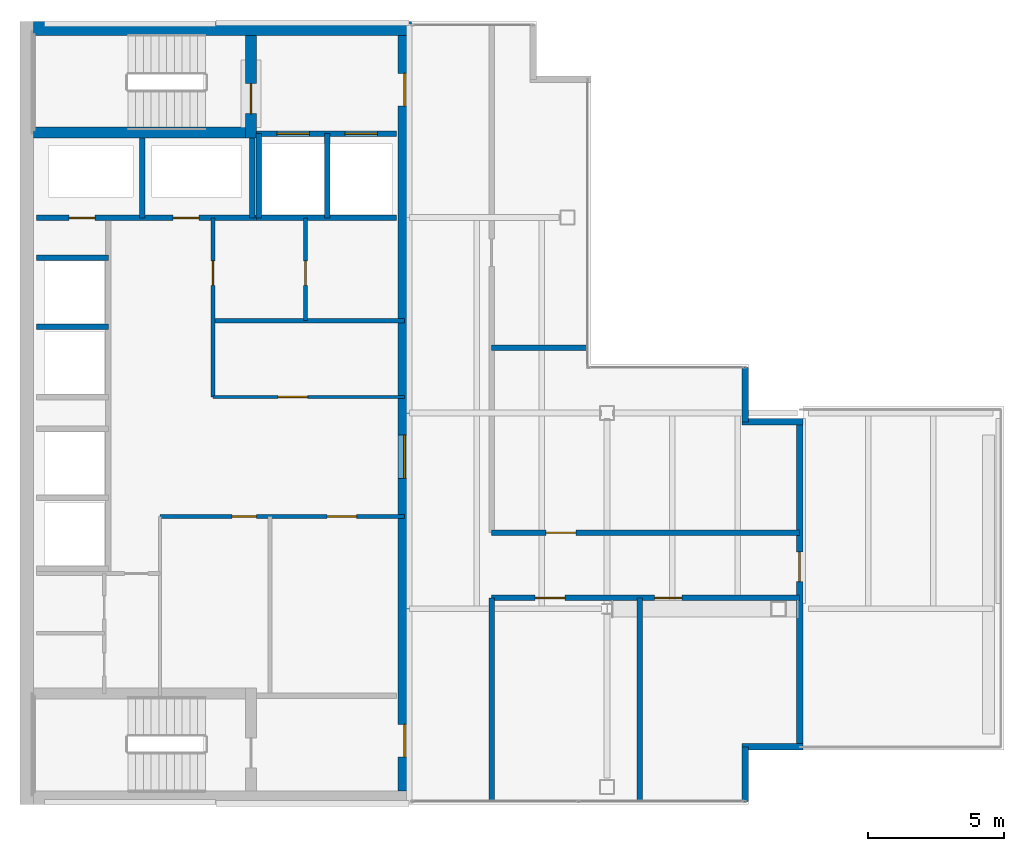
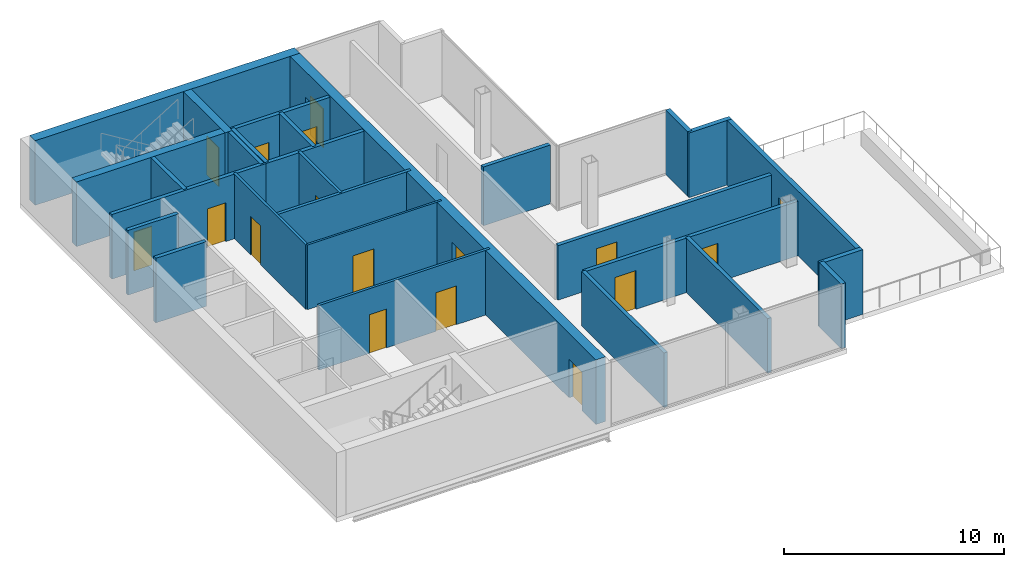
# One storey, part 14 of 16: 28 walls, 17 doors, 17 openings.
"""IFC4 building model written with IfcOpenShell, lengths in metres."""

from ifc_helpers import new_model, si_unit, direction, frame, frame_2d, origin, place, context, subcontext, project, spatial, rectangle, extrude, material, layer, layer_set, type_object, element, fill, save


model = new_model("IFC4")

# Units and contexts
model_context = context("Model", 3, precision=1e-05, world=origin(), true_north=direction((0.0, 1.0)))
body_context = subcontext(model_context, "Body", "Model", "MODEL_VIEW")
ifc_project = project(units=[si_unit("LENGTHUNIT", "METRE"), si_unit("AREAUNIT", "SQUARE_METRE"), si_unit("VOLUMEUNIT", "CUBIC_METRE"), si_unit("PLANEANGLEUNIT", "RADIAN"), si_unit("MASSUNIT", "GRAM", prefix="KILO")], contexts=[model_context])

# Site, building, storey
site_placement = place(None, origin())
site = spatial("IfcSite", under=ifc_project, at=site_placement, CompositionType="ELEMENT")
building_placement = place(site_placement, origin())
building = spatial("IfcBuilding", under=site, at=building_placement, Name="Cobrela Telecom Tower", CompositionType="ELEMENT")
storey_placement = place(building_placement, frame((0.0, 0.0, 293.64990234375)))
storey = spatial("IfcBuildingStorey", under=building, at=storey_placement, Name="L77", CompositionType="ELEMENT", Elevation=293.64990234375)

# Wall
ifc_material_1 = material(Name="Concrete C40/50", Category="concrete")
ifc_layer_1 = layer(ifc_material_1, 0.5)
ifc_layer_set_1 = layer_set([ifc_layer_1], Name="Concrete C40/50")
wall_type_1 = type_object("IfcWallType", Name="WALL-CORE-C40-500", PredefinedType="SHEAR", material=ifc_layer_set_1)
wall_1_placement = place(storey_placement, frame((0.5, 35.75, 0.0), z_axis=(0.0, 0.0, 1.0), x_axis=(1.0, 0.0, 0.0)))
element("IfcWall", 1, at=wall_1_placement, inside=storey, type_object=wall_type_1, Name="L77 North Core Shear Wall", PredefinedType="SHEAR", context=body_context, shape_type="SweptSolid", body=[
    extrude(rectangle(XDim=13.89990234375, YDim=0.5, at=frame_2d((6.949951171875, 0.0))), origin(), (0.0, 0.0, 1.0), 3.590087890625),
])

# Wall, openings, doors
wall_2_placement = place(storey_placement, frame((14.14990234375, 35.5, 0.0), z_axis=(0.0, 0.0, 1.0), x_axis=(0.0, -1.0, 0.0)))
wall_2 = element("IfcWall", 2, at=wall_2_placement, inside=storey, type_object=wall_type_1, Name="L77 East Core Shear Wall", PredefinedType="SHEAR", context=body_context, shape_type="SweptSolid", body=[
    extrude(rectangle(XDim=27.800048828125, YDim=0.5, at=frame_2d((13.89990234375, 0.0))), origin(), (0.0, 0.0, 1.0), 3.590087890625),
])
opening_1_placement = place(wall_2_placement, frame((1.39990234375, 0.0, 0.0)))
opening_1 = element("IfcOpeningElement", 3, at=opening_1_placement, cuts=wall_2, Name="Opening DR-19", PredefinedType="OPENING", context=body_context, shape_type="SweptSolid", body=[
    extrude(rectangle(XDim=1.199951171875, YDim=2.14990234375, at=frame_2d((0.60009765625, 1.074951171875))), frame((0.0, 0.261962890625, 0.0), z_axis=(0.0, -1.0, 0.0), x_axis=(1.0, 0.0, 0.0)), (0.0, 0.0, 1.0), 0.52392578125),
])
opening_2_placement = place(wall_2_placement, frame((25.35009765625, 0.0, 0.0)))
opening_2 = element("IfcOpeningElement", 4, at=opening_2_placement, cuts=wall_2, Name="Opening DR-19", PredefinedType="OPENING", context=body_context, shape_type="SweptSolid", body=[
    extrude(rectangle(XDim=1.199951171875, YDim=2.14990234375, at=frame_2d((0.60009765625, 1.074951171875))), frame((0.0, 0.261962890625, 0.0), z_axis=(0.0, -1.0, 0.0), x_axis=(1.0, 0.0, 0.0)), (0.0, 0.0, 1.0), 0.52392578125),
])
opening_3_placement = place(wall_2_placement, frame((14.699951171875, 0.0, 0.0)))
opening_3 = element("IfcOpeningElement", 5, at=opening_3_placement, cuts=wall_2, Name="Opening DR-51", PredefinedType="OPENING", context=body_context, shape_type="SweptSolid", body=[
    extrude(rectangle(XDim=1.60009765625, YDim=2.199951171875, at=frame_2d((0.800048828125, 1.10009765625))), frame((0.0, 0.261962890625, 0.0), z_axis=(0.0, -1.0, 0.0), x_axis=(1.0, 0.0, 0.0)), (0.0, 0.0, 1.0), 0.52392578125),
])
ifc_material_2 = material(Name="Steel ASTM A36", Category="steel")
door_type_1 = type_object("IfcDoorType", Name="DOOR-FD60-1200", OperationType="SINGLE_SWING_LEFT", PredefinedType="DOOR", material=ifc_material_2)
door_1_placement = place(opening_1_placement, origin())
door_1 = element("IfcDoor", 6, at=door_1_placement, inside=storey, type_object=door_type_1, Name="L77 Door DR-19", OperationType="SINGLE_SWING_LEFT", OverallHeight=2.14990234375, OverallWidth=1.199951171875, PredefinedType="DOOR", context=body_context, shape_type="SweptSolid", body=[
    extrude(rectangle(XDim=1.199951171875, YDim=2.14990234375, at=frame_2d((0.60009765625, 1.074951171875))), frame((0.0, 0.02490234375, 0.0), z_axis=(0.0, -1.0, 0.0), x_axis=(1.0, 0.0, 0.0)), (0.0, 0.0, 1.0), 0.050048828125),
])
fill(opening_1, door_1)
door_2_placement = place(opening_2_placement, origin())
door_2 = element("IfcDoor", 7, at=door_2_placement, inside=storey, type_object=door_type_1, Name="L77 Door DR-19", OperationType="SINGLE_SWING_RIGHT", OverallHeight=2.14990234375, OverallWidth=1.199951171875, PredefinedType="DOOR", context=body_context, shape_type="SweptSolid", body=[
    extrude(rectangle(XDim=1.199951171875, YDim=2.14990234375, at=frame_2d((0.60009765625, 1.074951171875))), frame((0.0, 0.02490234375, 0.0), z_axis=(0.0, -1.0, 0.0), x_axis=(1.0, 0.0, 0.0)), (0.0, 0.0, 1.0), 0.050048828125),
])
fill(opening_2, door_2)
door_type_2 = type_object("IfcDoorType", Name="DOOR-FD60-1600", OperationType="SINGLE_SWING_LEFT", PredefinedType="DOOR", material=ifc_material_2)
door_3_placement = place(opening_3_placement, origin())
door_3 = element("IfcDoor", 8, at=door_3_placement, inside=storey, type_object=door_type_2, Name="L77 Door DR-51", OperationType="DOUBLE_DOOR_SINGLE_SWING", OverallHeight=2.199951171875, OverallWidth=1.60009765625, PredefinedType="DOOR", context=body_context, shape_type="SweptSolid", body=[
    extrude(rectangle(XDim=1.60009765625, YDim=2.199951171875, at=frame_2d((0.800048828125, 1.10009765625))), frame((0.0, 0.02490234375, 0.0), z_axis=(0.0, -1.0, 0.0), x_axis=(1.0, 0.0, 0.0)), (0.0, 0.0, 1.0), 0.050048828125),
])
fill(opening_3, door_3)

# Walls
ifc_layer_2 = layer(ifc_material_1, 0.239990234375)
ifc_layer_set_2 = layer_set([ifc_layer_2], Name="Concrete C40/50")
wall_type_2 = type_object("IfcWallType", Name="WALL-EXT-300", PredefinedType="STANDARD", material=ifc_layer_set_2)
wall_3_placement = place(storey_placement, frame((26.679931640625, 23.280029296875, 0.0), z_axis=(0.0, 0.0, 1.0), x_axis=(0.0, -1.0, 0.0)))
element("IfcWall", 9, at=wall_3_placement, inside=storey, type_object=wall_type_2, Name="L77 Insulated Facade Wall 06", PredefinedType="STANDARD", context=body_context, shape_type="SweptSolid", body=[
    extrude(rectangle(XDim=2.0, YDim=0.239990234375, at=frame_2d((1.0, 0.0))), origin(), (0.0, 0.0, 1.0), 3.590087890625),
])
wall_4_placement = place(storey_placement, frame((26.56005859375, 21.280029296875, 0.0), z_axis=(0.0, 0.0, 1.0), x_axis=(1.0, 0.0, 0.0)))
element("IfcWall", 10, at=wall_4_placement, inside=storey, type_object=wall_type_2, Name="L77 Insulated Facade Wall 07", PredefinedType="STANDARD", context=body_context, shape_type="SweptSolid", body=[
    extrude(rectangle(XDim=2.239990234375, YDim=0.239990234375, at=frame_2d((1.1201171875, 0.0))), origin(), (0.0, 0.0, 1.0), 3.590087890625),
])

# Wall, opening, door
wall_5_placement = place(storey_placement, frame((28.679931640625, 21.280029296875, 0.0), z_axis=(0.0, 0.0, 1.0), x_axis=(0.0, -1.0, 0.0)))
wall_5 = element("IfcWall", 11, at=wall_5_placement, inside=storey, type_object=wall_type_2, Name="L77 Insulated Facade Wall 08", PredefinedType="STANDARD", context=body_context, shape_type="SweptSolid", body=[
    extrude(rectangle(XDim=11.9599609375, YDim=0.239990234375, at=frame_2d((5.97998046875, 0.0))), origin(), (0.0, 0.0, 1.0), 3.590087890625),
])
opening_4_placement = place(wall_5_placement, frame((4.780029296875, 0.0, 0.0)))
opening_4 = element("IfcOpeningElement", 12, at=opening_4_placement, cuts=wall_5, Name="Opening ED-3", PredefinedType="OPENING", context=body_context, shape_type="SweptSolid", body=[
    extrude(rectangle(XDim=1.10009765625, YDim=2.14990234375, at=frame_2d((0.550048828125, 1.074951171875))), frame((0.0, 0.1318359375, 0.0), z_axis=(0.0, -1.0, 0.0), x_axis=(1.0, 0.0, 0.0)), (0.0, 0.0, 1.0), 0.263916015625),
])
ifc_material_3 = material(Name="Anodized Bronze Aluminium 6063-T6", Category="aluminium")
door_type_3 = type_object("IfcDoorType", Name="DOOR-EXT-1100", OperationType="SINGLE_SWING_LEFT", PredefinedType="DOOR", material=ifc_material_3)
door_4_placement = place(opening_4_placement, origin())
door_4 = element("IfcDoor", 13, at=door_4_placement, inside=storey, type_object=door_type_3, Name="L77 Door ED-3", OperationType="SINGLE_SWING_LEFT", OverallHeight=2.14990234375, OverallWidth=1.10009765625, PredefinedType="DOOR", context=body_context, shape_type="SweptSolid", body=[
    extrude(rectangle(XDim=1.10009765625, YDim=2.14990234375, at=frame_2d((0.550048828125, 1.074951171875))), frame((0.0, 0.02490234375, 0.0), z_axis=(0.0, -1.0, 0.0), x_axis=(1.0, 0.0, 0.0)), (0.0, 0.0, 1.0), 0.050048828125),
])
fill(opening_4, door_4)

# Walls
wall_6_placement = place(storey_placement, frame((28.800048828125, 9.320068359375, 0.0), z_axis=(0.0, 0.0, 1.0), x_axis=(-1.0, 0.0, 0.0)))
element("IfcWall", 14, at=wall_6_placement, inside=storey, type_object=wall_type_2, Name="L77 Insulated Facade Wall 09", PredefinedType="STANDARD", context=body_context, shape_type="SweptSolid", body=[
    extrude(rectangle(XDim=2.239990234375, YDim=0.239990234375, at=frame_2d((1.1201171875, 0.0))), origin(), (0.0, 0.0, 1.0), 3.590087890625),
])
wall_7_placement = place(storey_placement, frame((26.679931640625, 9.320068359375, 0.0), z_axis=(0.0, 0.0, 1.0), x_axis=(0.0, -1.0, 0.0)))
element("IfcWall", 15, at=wall_7_placement, inside=storey, type_object=wall_type_2, Name="L77 Insulated Facade Wall 10", PredefinedType="STANDARD", context=body_context, shape_type="SweptSolid", body=[
    extrude(rectangle(XDim=2.0, YDim=0.239990234375, at=frame_2d((1.0, 0.0))), origin(), (0.0, 0.0, 1.0), 3.590087890625),
])

# Wall, opening, door
ifc_material_4 = material(Name="Fire-Rated Gypsum Plasterboard")
ifc_layer_3 = layer(ifc_material_4, 0.110107421875)
ifc_layer_set_3 = layer_set([ifc_layer_3], Name="Fire-Rated Gypsum Plasterboard")
wall_type_3 = type_object("IfcWallType", Name="WALL-PART-110", PredefinedType="PARTITIONING", material=ifc_layer_set_3)
wall_8_placement = place(storey_placement, frame((7.10009765625, 22.199951171875, 0.0), z_axis=(0.0, 0.0, 1.0), x_axis=(1.0, 0.0, 0.0)))
wall_8 = element("IfcWall", 16, at=wall_8_placement, inside=storey, type_object=wall_type_3, Name="L77 Interior Partition CW-RECL-S", PredefinedType="PARTITIONING", context=body_context, shape_type="SweptSolid", body=[
    extrude(rectangle(XDim=7.0498046875, YDim=0.110107421875, at=frame_2d((3.52490234375, 0.0))), origin(), (0.0, 0.0, 1.0), 3.590087890625),
])
opening_5_placement = place(wall_8_placement, frame((2.39990234375, 0.0, 0.0)))
opening_5 = element("IfcOpeningElement", 17, at=opening_5_placement, cuts=wall_8, Name="Opening DR-63", PredefinedType="OPENING", context=body_context, shape_type="SweptSolid", body=[
    extrude(rectangle(XDim=1.080078125, YDim=2.14990234375, at=frame_2d((0.5400390625, 1.074951171875))), frame((0.0, 0.06689453125, 0.0), z_axis=(0.0, -1.0, 0.0), x_axis=(1.0, 0.0, 0.0)), (0.0, 0.0, 1.0), 0.134033203125),
])
ifc_material_5 = material(Name="Solid Engineered Oak Timber", Category="wood")
door_type_4 = type_object("IfcDoorType", Name="DOOR-INT-1080", OperationType="SINGLE_SWING_LEFT", PredefinedType="DOOR", material=ifc_material_5)
door_5_placement = place(opening_5_placement, origin())
door_5 = element("IfcDoor", 18, at=door_5_placement, inside=storey, type_object=door_type_4, Name="L77 Door DR-63", OperationType="SINGLE_SWING_LEFT", OverallHeight=2.14990234375, OverallWidth=1.080078125, PredefinedType="DOOR", context=body_context, shape_type="SweptSolid", body=[
    extrude(rectangle(XDim=1.080078125, YDim=2.14990234375, at=frame_2d((0.5400390625, 1.074951171875))), frame((0.0, 0.02490234375, 0.0), z_axis=(0.0, -1.0, 0.0), x_axis=(1.0, 0.0, 0.0)), (0.0, 0.0, 1.0), 0.050048828125),
])
fill(opening_5, door_5)

ifc_layer_4 = layer(ifc_material_4, 0.135009765625)
ifc_layer_set_4 = layer_set([ifc_layer_4], Name="Fire-Rated Gypsum Plasterboard")
wall_type_4 = type_object("IfcWallType", Name="WALL-PART-135", PredefinedType="PARTITIONING", material=ifc_layer_set_4)
wall_9_placement = place(storey_placement, frame((7.10009765625, 22.199951171875, 0.0), z_axis=(0.0, 0.0, 1.0), x_axis=(0.0, 1.0, 0.0)))
wall_9 = element("IfcWall", 19, at=wall_9_placement, inside=storey, type_object=wall_type_4, Name="L77 Interior Partition CW-RECL-W", PredefinedType="PARTITIONING", context=body_context, shape_type="SweptSolid", body=[
    extrude(rectangle(XDim=6.580078125, YDim=0.135009765625, at=frame_2d((3.2900390625, 0.0))), origin(), (0.0, 0.0, 1.0), 3.590087890625),
])
opening_6_placement = place(wall_9_placement, frame((4.10009765625, 0.0, 0.0)))
opening_6 = element("IfcOpeningElement", 20, at=opening_6_placement, cuts=wall_9, Name="Opening DR-41", PredefinedType="OPENING", context=body_context, shape_type="SweptSolid", body=[
    extrude(rectangle(XDim=0.89990234375, YDim=2.14990234375, at=frame_2d((0.449951171875, 1.074951171875))), frame((0.0, 0.07958984375, 0.0), z_axis=(0.0, -1.0, 0.0), x_axis=(1.0, 0.0, 0.0)), (0.0, 0.0, 1.0), 0.158935546875),
])
door_type_5 = type_object("IfcDoorType", Name="DOOR-INT-900", OperationType="SINGLE_SWING_LEFT", PredefinedType="DOOR", material=ifc_material_5)
door_6_placement = place(opening_6_placement, origin())
door_6 = element("IfcDoor", 21, at=door_6_placement, inside=storey, type_object=door_type_5, Name="L77 Door DR-41", OperationType="SINGLE_SWING_RIGHT", OverallHeight=2.14990234375, OverallWidth=0.89990234375, PredefinedType="DOOR", context=body_context, shape_type="SweptSolid", body=[
    extrude(rectangle(XDim=0.89990234375, YDim=2.14990234375, at=frame_2d((0.449951171875, 1.074951171875))), frame((0.0, 0.02490234375, 0.0), z_axis=(0.0, -1.0, 0.0), x_axis=(1.0, 0.0, 0.0)), (0.0, 0.0, 1.0), 0.050048828125),
])
fill(opening_6, door_6)

# Wall, openings, doors
wall_10_placement = place(storey_placement, frame((5.14990234375, 17.800048828125, 0.0), z_axis=(0.0, 0.0, 1.0), x_axis=(1.0, 0.0, 0.0)))
wall_10 = element("IfcWall", 22, at=wall_10_placement, inside=storey, type_object=wall_type_4, Name="L77 Interior Partition CW-RECM-N", PredefinedType="PARTITIONING", context=body_context, shape_type="SweptSolid", body=[
    extrude(rectangle(XDim=9.0, YDim=0.135009765625, at=frame_2d((4.5, 0.0))), origin(), (0.0, 0.0, 1.0), 3.590087890625),
])
opening_7_placement = place(wall_10_placement, frame((2.64990234375, 0.0, 0.0)))
opening_7 = element("IfcOpeningElement", 23, at=opening_7_placement, cuts=wall_10, Name="Opening DR-41", PredefinedType="OPENING", context=body_context, shape_type="SweptSolid", body=[
    extrude(rectangle(XDim=0.89990234375, YDim=2.14990234375, at=frame_2d((0.449951171875, 1.074951171875))), frame((0.0, 0.07958984375, 0.0), z_axis=(0.0, -1.0, 0.0), x_axis=(1.0, 0.0, 0.0)), (0.0, 0.0, 1.0), 0.158935546875),
])
opening_8_placement = place(wall_10_placement, frame((6.14990234375, 0.0, 0.0)))
opening_8 = element("IfcOpeningElement", 24, at=opening_8_placement, cuts=wall_10, Name="Opening DR-63", PredefinedType="OPENING", context=body_context, shape_type="SweptSolid", body=[
    extrude(rectangle(XDim=1.080078125, YDim=2.14990234375, at=frame_2d((0.5400390625, 1.074951171875))), frame((0.0, 0.07958984375, 0.0), z_axis=(0.0, -1.0, 0.0), x_axis=(1.0, 0.0, 0.0)), (0.0, 0.0, 1.0), 0.158935546875),
])
door_7_placement = place(opening_8_placement, origin())
door_7 = element("IfcDoor", 25, at=door_7_placement, inside=storey, type_object=door_type_4, Name="L77 Door DR-63", OperationType="SINGLE_SWING_RIGHT", OverallHeight=2.14990234375, OverallWidth=1.080078125, PredefinedType="DOOR", context=body_context, shape_type="SweptSolid", body=[
    extrude(rectangle(XDim=1.080078125, YDim=2.14990234375, at=frame_2d((0.5400390625, 1.074951171875))), frame((0.0, 0.02490234375, 0.0), z_axis=(0.0, -1.0, 0.0), x_axis=(1.0, 0.0, 0.0)), (0.0, 0.0, 1.0), 0.050048828125),
])
fill(opening_8, door_7)
door_8_placement = place(opening_7_placement, origin())
door_8 = element("IfcDoor", 26, at=door_8_placement, inside=storey, type_object=door_type_5, Name="L77 Door DR-41", OperationType="SINGLE_SWING_LEFT", OverallHeight=2.14990234375, OverallWidth=0.89990234375, PredefinedType="DOOR", context=body_context, shape_type="SweptSolid", body=[
    extrude(rectangle(XDim=0.89990234375, YDim=2.14990234375, at=frame_2d((0.449951171875, 1.074951171875))), frame((0.0, 0.02490234375, 0.0), z_axis=(0.0, -1.0, 0.0), x_axis=(1.0, 0.0, 0.0)), (0.0, 0.0, 1.0), 0.050048828125),
])
fill(opening_7, door_8)

# Wall, opening, door
ifc_layer_5 = layer(ifc_material_4, 0.14990234375)
ifc_layer_set_5 = layer_set([ifc_layer_5], Name="Fire-Rated Gypsum Plasterboard")
wall_type_5 = type_object("IfcWallType", Name="WALL-PART-150", PredefinedType="PARTITIONING", material=ifc_layer_set_5)
wall_11_placement = place(storey_placement, frame((10.5, 25.0, 0.0), z_axis=(0.0, 0.0, 1.0), x_axis=(0.0, 1.0, 0.0)))
wall_11 = element("IfcWall", 27, at=wall_11_placement, inside=storey, type_object=wall_type_5, Name="L77 Interior Partition CW-RECL-VN", PredefinedType="PARTITIONING", context=body_context, shape_type="SweptSolid", body=[
    extrude(rectangle(XDim=3.780029296875, YDim=0.14990234375, at=frame_2d((1.89013671875, 0.0))), origin(), (0.0, 0.0, 1.0), 3.590087890625),
])
opening_9_placement = place(wall_11_placement, frame((1.300048828125, 0.0, 0.0)))
opening_9 = element("IfcOpeningElement", 28, at=opening_9_placement, cuts=wall_11, Name="Opening DR-41", PredefinedType="OPENING", context=body_context, shape_type="SweptSolid", body=[
    extrude(rectangle(XDim=0.89990234375, YDim=2.14990234375, at=frame_2d((0.449951171875, 1.074951171875))), frame((0.0, 0.0869140625, 0.0), z_axis=(0.0, -1.0, 0.0), x_axis=(1.0, 0.0, 0.0)), (0.0, 0.0, 1.0), 0.173828125),
])
door_9_placement = place(opening_9_placement, origin())
door_9 = element("IfcDoor", 29, at=door_9_placement, inside=storey, type_object=door_type_5, Name="L77 Door DR-41", OperationType="SINGLE_SWING_LEFT", OverallHeight=2.14990234375, OverallWidth=0.89990234375, PredefinedType="DOOR", context=body_context, shape_type="SweptSolid", body=[
    extrude(rectangle(XDim=0.89990234375, YDim=2.14990234375, at=frame_2d((0.449951171875, 1.074951171875))), frame((0.0, 0.02490234375, 0.0), z_axis=(0.0, -1.0, 0.0), x_axis=(1.0, 0.0, 0.0)), (0.0, 0.0, 1.0), 0.050048828125),
])
fill(opening_9, door_9)

# Wall
ifc_layer_6 = layer(ifc_material_4, 0.159912109375)
ifc_layer_set_6 = layer_set([ifc_layer_6], Name="Fire-Rated Gypsum Plasterboard")
wall_type_6 = type_object("IfcWallType", Name="WALL-PART-160", PredefinedType="PARTITIONING", material=ifc_layer_set_6)
wall_12_placement = place(storey_placement, frame((7.10009765625, 25.0, 0.0), z_axis=(0.0, 0.0, 1.0), x_axis=(1.0, 0.0, 0.0)))
element("IfcWall", 30, at=wall_12_placement, inside=storey, type_object=wall_type_6, Name="L77 Interior Partition CW-RECL-H", PredefinedType="PARTITIONING", context=body_context, shape_type="SweptSolid", body=[
    extrude(rectangle(XDim=7.0498046875, YDim=0.159912109375, at=frame_2d((3.52490234375, 0.0))), origin(), (0.0, 0.0, 1.0), 3.590087890625),
])

# Wall, openings, doors
ifc_layer_7 = layer(ifc_material_4, 0.199951171875)
ifc_layer_set_7 = layer_set([ifc_layer_7], Name="Fire-Rated Gypsum Plasterboard")
wall_type_7 = type_object("IfcWallType", Name="WALL-SHAFT-200", PredefinedType="PARTITIONING", material=ifc_layer_set_7)
wall_13_placement = place(storey_placement, frame((8.699951171875, 31.8798828125, 0.0), z_axis=(0.0, 0.0, 1.0), x_axis=(1.0, 0.0, 0.0)))
wall_13 = element("IfcWall", 31, at=wall_13_placement, inside=storey, type_object=wall_type_7, Name="L77 Shaft Enclosure CW-FFL-S", PredefinedType="PARTITIONING", context=body_context, shape_type="SweptSolid", body=[
    extrude(rectangle(XDim=5.150146484375, YDim=0.199951171875, at=frame_2d((2.5751953125, 0.0))), origin(), (0.0, 0.0, 1.0), 3.590087890625),
])
opening_10_placement = place(wall_13_placement, frame((0.75, 0.0, 0.0)))
opening_10 = element("IfcOpeningElement", 32, at=opening_10_placement, cuts=wall_13, Name="Opening LD-2", PredefinedType="OPENING", context=body_context, shape_type="SweptSolid", body=[
    extrude(rectangle(XDim=1.199951171875, YDim=2.199951171875, at=frame_2d((0.60009765625, 1.10009765625))), frame((0.0, 0.11181640625, 0.0), z_axis=(0.0, -1.0, 0.0), x_axis=(1.0, 0.0, 0.0)), (0.0, 0.0, 1.0), 0.223876953125),
])
opening_11_placement = place(wall_13_placement, frame((3.25, 0.0, 0.0)))
opening_11 = element("IfcOpeningElement", 33, at=opening_11_placement, cuts=wall_13, Name="Opening LD-2", PredefinedType="OPENING", context=body_context, shape_type="SweptSolid", body=[
    extrude(rectangle(XDim=1.199951171875, YDim=2.199951171875, at=frame_2d((0.60009765625, 1.10009765625))), frame((0.0, 0.11181640625, 0.0), z_axis=(0.0, -1.0, 0.0), x_axis=(1.0, 0.0, 0.0)), (0.0, 0.0, 1.0), 0.223876953125),
])
door_type_6 = type_object("IfcDoorType", Name="DOOR-LD-FFL", OperationType="SINGLE_SWING_LEFT", PredefinedType="DOOR", material=ifc_material_2)
door_10_placement = place(opening_10_placement, origin())
door_10 = element("IfcDoor", 34, at=door_10_placement, inside=storey, type_object=door_type_6, Name="L77 Lift Landing Door LD-2", OperationType="DOUBLE_DOOR_SLIDING", OverallHeight=2.199951171875, OverallWidth=1.199951171875, PredefinedType="DOOR", context=body_context, shape_type="SweptSolid", body=[
    extrude(rectangle(XDim=1.199951171875, YDim=2.199951171875, at=frame_2d((0.60009765625, 1.10009765625))), frame((0.0, 0.02490234375, 0.0), z_axis=(0.0, -1.0, 0.0), x_axis=(1.0, 0.0, 0.0)), (0.0, 0.0, 1.0), 0.050048828125),
])
fill(opening_10, door_10)
door_11_placement = place(opening_11_placement, origin())
door_11 = element("IfcDoor", 35, at=door_11_placement, inside=storey, type_object=door_type_6, Name="L77 Lift Landing Door LD-2", OperationType="DOUBLE_DOOR_SLIDING", OverallHeight=2.199951171875, OverallWidth=1.199951171875, PredefinedType="DOOR", context=body_context, shape_type="SweptSolid", body=[
    extrude(rectangle(XDim=1.199951171875, YDim=2.199951171875, at=frame_2d((0.60009765625, 1.10009765625))), frame((0.0, 0.02490234375, 0.0), z_axis=(0.0, -1.0, 0.0), x_axis=(1.0, 0.0, 0.0)), (0.0, 0.0, 1.0), 0.050048828125),
])
fill(opening_11, door_11)

# Walls
wall_14_placement = place(storey_placement, frame((8.699951171875, 28.780029296875, 0.0), z_axis=(0.0, 0.0, 1.0), x_axis=(1.0, 0.0, 0.0)))
element("IfcWall", 36, at=wall_14_placement, inside=storey, type_object=wall_type_7, Name="L77 Shaft Enclosure CW-FFL-S2", PredefinedType="PARTITIONING", context=body_context, shape_type="SweptSolid", body=[
    extrude(rectangle(XDim=5.150146484375, YDim=0.199951171875, at=frame_2d((2.5751953125, 0.0))), origin(), (0.0, 0.0, 1.0), 3.590087890625),
])
for number, where, z_axis, x_axis, name in (
    (37, (8.780029296875, 28.780029296875, 0.0), (0.0, 0.0, 1.0), (0.0, 1.0, 0.0), "L77 Shaft Enclosure CW-FFL-W"),
    (38, (11.300048828125, 28.780029296875, 0.0), (0.0, 0.0, 1.0), (0.0, 1.0, 0.0), "L77 Shaft Enclosure CW-FFL-M"),
):
    element("IfcWall", number, at=place(storey_placement, frame(where, z_axis=z_axis, x_axis=x_axis)), inside=storey, type_object=wall_type_7, Name=name, PredefinedType="PARTITIONING", context=body_context, shape_type="SweptSolid", body=[
        extrude(rectangle(XDim=3.099853515625, YDim=0.199951171875, at=frame_2d((1.5498046875, 0.0))), origin(), (0.0, 0.0, 1.0), 3.590087890625),
    ])

# Wall, openings, doors
wall_15_placement = place(storey_placement, frame((0.60009765625, 28.780029296875, 0.0), z_axis=(0.0, 0.0, 1.0), x_axis=(1.0, 0.0, 0.0)))
wall_15 = element("IfcWall", 39, at=wall_15_placement, inside=storey, type_object=wall_type_7, Name="L77 Shaft Enclosure CW-RIS-S", PredefinedType="PARTITIONING", context=body_context, shape_type="SweptSolid", body=[
    extrude(rectangle(XDim=8.179931640625, YDim=0.199951171875, at=frame_2d((4.08984375, 0.0))), origin(), (0.0, 0.0, 1.0), 3.590087890625),
])
opening_12_placement = place(wall_15_placement, frame((1.2099609375, 0.0, 0.0)))
opening_12 = element("IfcOpeningElement", 40, at=opening_12_placement, cuts=wall_15, Name="Opening DR-65", PredefinedType="OPENING", context=body_context, shape_type="SweptSolid", body=[
    extrude(rectangle(XDim=0.949951171875, YDim=2.14990234375, at=frame_2d((0.47509765625, 1.074951171875))), frame((0.0, 0.11181640625, 0.0), z_axis=(0.0, -1.0, 0.0), x_axis=(1.0, 0.0, 0.0)), (0.0, 0.0, 1.0), 0.223876953125),
])
opening_13_placement = place(wall_15_placement, frame((5.030029296875, 0.0, 0.0)))
opening_13 = element("IfcOpeningElement", 41, at=opening_13_placement, cuts=wall_15, Name="Opening DR-65", PredefinedType="OPENING", context=body_context, shape_type="SweptSolid", body=[
    extrude(rectangle(XDim=0.949951171875, YDim=2.14990234375, at=frame_2d((0.47509765625, 1.074951171875))), frame((0.0, 0.11181640625, 0.0), z_axis=(0.0, -1.0, 0.0), x_axis=(1.0, 0.0, 0.0)), (0.0, 0.0, 1.0), 0.223876953125),
])
door_type_7 = type_object("IfcDoorType", Name="DOOR-FD60-950", OperationType="SINGLE_SWING_LEFT", PredefinedType="DOOR", material=ifc_material_2)
door_12_placement = place(opening_12_placement, origin())
door_12 = element("IfcDoor", 42, at=door_12_placement, inside=storey, type_object=door_type_7, Name="L77 Door DR-65", OperationType="SINGLE_SWING_LEFT", OverallHeight=2.14990234375, OverallWidth=0.949951171875, PredefinedType="DOOR", context=body_context, shape_type="SweptSolid", body=[
    extrude(rectangle(XDim=0.949951171875, YDim=2.14990234375, at=frame_2d((0.47509765625, 1.074951171875))), frame((0.0, 0.02490234375, 0.0), z_axis=(0.0, -1.0, 0.0), x_axis=(1.0, 0.0, 0.0)), (0.0, 0.0, 1.0), 0.050048828125),
])
fill(opening_12, door_12)
door_13_placement = place(opening_13_placement, origin())
door_13 = element("IfcDoor", 43, at=door_13_placement, inside=storey, type_object=door_type_7, Name="L77 Door DR-65", OperationType="SINGLE_SWING_RIGHT", OverallHeight=2.14990234375, OverallWidth=0.949951171875, PredefinedType="DOOR", context=body_context, shape_type="SweptSolid", body=[
    extrude(rectangle(XDim=0.949951171875, YDim=2.14990234375, at=frame_2d((0.47509765625, 1.074951171875))), frame((0.0, 0.02490234375, 0.0), z_axis=(0.0, -1.0, 0.0), x_axis=(1.0, 0.0, 0.0)), (0.0, 0.0, 1.0), 0.050048828125),
])
fill(opening_13, door_13)

# Walls
for number, where, z_axis, x_axis, name in (
    (44, (4.5, 28.780029296875, 0.0), (0.0, 0.0, 1.0), (0.0, 1.0, 0.0), "L77 Shaft Enclosure CW-RIS-M"),
    (45, (8.550048828125, 28.780029296875, 0.0), (0.0, 0.0, 1.0), (0.0, 1.0, 0.0), "L77 Shaft Enclosure CW-RIS-E"),
):
    element("IfcWall", number, at=place(storey_placement, frame(where, z_axis=z_axis, x_axis=x_axis)), inside=storey, type_object=wall_type_7, Name=name, PredefinedType="PARTITIONING", context=body_context, shape_type="SweptSolid", body=[
        extrude(rectangle(XDim=2.93994140625, YDim=0.199951171875, at=frame_2d((1.469970703125, 0.0))), origin(), (0.0, 0.0, 1.0), 3.590087890625),
    ])
for number, where, z_axis, x_axis, name in (
    (46, (0.60009765625, 24.780029296875, 0.0), (0.0, 0.0, 1.0), (1.0, 0.0, 0.0), "L77 Shaft Enclosure CW-PLH-D12"),
    (47, (0.60009765625, 27.320068359375, 0.0), (0.0, 0.0, 1.0), (1.0, 0.0, 0.0), "L77 Shaft Enclosure CW-PLH-TOP"),
):
    element("IfcWall", number, at=place(storey_placement, frame(where, z_axis=z_axis, x_axis=x_axis)), inside=storey, type_object=wall_type_7, Name=name, PredefinedType="PARTITIONING", context=body_context, shape_type="SweptSolid", body=[
        extrude(rectangle(XDim=2.64990234375, YDim=0.199951171875, at=frame_2d((1.324951171875, 0.0))), origin(), (0.0, 0.0, 1.0), 3.590087890625),
    ])
wall_16_placement = place(storey_placement, frame((17.35009765625, 7.320068359375, 0.0), z_axis=(0.0, 0.0, 1.0), x_axis=(0.0, 1.0, 0.0)))
element("IfcWall", 48, at=wall_16_placement, inside=storey, type_object=wall_type_7, Name="L77 Shaft Enclosure W-DR-E1", PredefinedType="PARTITIONING", context=body_context, shape_type="SweptSolid", body=[
    extrude(rectangle(XDim=7.47998046875, YDim=0.199951171875, at=frame_2d((3.739990234375, 0.0))), origin(), (0.0, 0.0, 1.0), 3.026123046875),
])

# Wall, openings, doors
wall_17_placement = place(storey_placement, frame((17.35009765625, 14.800048828125, 0.0), z_axis=(0.0, 0.0, 1.0), x_axis=(1.0, 0.0, 0.0)))
wall_17 = element("IfcWall", 49, at=wall_17_placement, inside=storey, type_object=wall_type_7, Name="L77 Shaft Enclosure W-DR-HS", PredefinedType="PARTITIONING", context=body_context, shape_type="SweptSolid", body=[
    extrude(rectangle(XDim=11.329833984375, YDim=0.199951171875, at=frame_2d((5.6650390625, 0.0))), origin(), (0.0, 0.0, 1.0), 3.026123046875),
])
opening_14_placement = place(wall_17_placement, frame((1.60009765625, 0.0, 0.0)))
opening_14 = element("IfcOpeningElement", 50, at=opening_14_placement, cuts=wall_17, Name="Opening DR-59", PredefinedType="OPENING", context=body_context, shape_type="SweptSolid", body=[
    extrude(rectangle(XDim=1.10009765625, YDim=2.14990234375, at=frame_2d((0.550048828125, 1.074951171875))), frame((0.0, 0.11181640625, 0.0), z_axis=(0.0, -1.0, 0.0), x_axis=(1.0, 0.0, 0.0)), (0.0, 0.0, 1.0), 0.223876953125),
])
opening_15_placement = place(wall_17_placement, frame((6.0, 0.0, 0.0)))
opening_15 = element("IfcOpeningElement", 51, at=opening_15_placement, cuts=wall_17, Name="Opening DR-15", PredefinedType="OPENING", context=body_context, shape_type="SweptSolid", body=[
    extrude(rectangle(XDim=1.0, YDim=2.14990234375, at=frame_2d((0.5, 1.074951171875))), frame((0.0, 0.11181640625, 0.0), z_axis=(0.0, -1.0, 0.0), x_axis=(1.0, 0.0, 0.0)), (0.0, 0.0, 1.0), 0.223876953125),
])
door_type_8 = type_object("IfcDoorType", Name="DOOR-FD60-1000", OperationType="SINGLE_SWING_LEFT", PredefinedType="DOOR", material=ifc_material_2)
door_14_placement = place(opening_15_placement, origin())
door_14 = element("IfcDoor", 52, at=door_14_placement, inside=storey, type_object=door_type_8, Name="L77 Door DR-15", OperationType="SINGLE_SWING_LEFT", OverallHeight=2.14990234375, OverallWidth=1.0, PredefinedType="DOOR", context=body_context, shape_type="SweptSolid", body=[
    extrude(rectangle(XDim=1.0, YDim=2.14990234375, at=frame_2d((0.5, 1.074951171875))), frame((0.0, 0.02490234375, 0.0), z_axis=(0.0, -1.0, 0.0), x_axis=(1.0, 0.0, 0.0)), (0.0, 0.0, 1.0), 0.050048828125),
])
fill(opening_15, door_14)
door_type_9 = type_object("IfcDoorType", Name="DOOR-FD60-1100", OperationType="SINGLE_SWING_LEFT", PredefinedType="DOOR", material=ifc_material_2)
door_15_placement = place(opening_14_placement, origin())
door_15 = element("IfcDoor", 53, at=door_15_placement, inside=storey, type_object=door_type_9, Name="L77 Door DR-59", OperationType="SINGLE_SWING_RIGHT", OverallHeight=2.14990234375, OverallWidth=1.10009765625, PredefinedType="DOOR", context=body_context, shape_type="SweptSolid", body=[
    extrude(rectangle(XDim=1.10009765625, YDim=2.14990234375, at=frame_2d((0.550048828125, 1.074951171875))), frame((0.0, 0.02490234375, 0.0), z_axis=(0.0, -1.0, 0.0), x_axis=(1.0, 0.0, 0.0)), (0.0, 0.0, 1.0), 0.050048828125),
])
fill(opening_14, door_15)

# Wall, opening, door
wall_18_placement = place(storey_placement, frame((17.35009765625, 17.199951171875, 0.0), z_axis=(0.0, 0.0, 1.0), x_axis=(1.0, 0.0, 0.0)))
wall_18 = element("IfcWall", 54, at=wall_18_placement, inside=storey, type_object=wall_type_7, Name="L77 Shaft Enclosure W-DR-HN", PredefinedType="PARTITIONING", context=body_context, shape_type="SweptSolid", body=[
    extrude(rectangle(XDim=11.329833984375, YDim=0.199951171875, at=frame_2d((5.6650390625, 0.0))), origin(), (0.0, 0.0, 1.0), 3.026123046875),
])
opening_16_placement = place(wall_18_placement, frame((2.0, 0.0, 0.0)))
opening_16 = element("IfcOpeningElement", 55, at=opening_16_placement, cuts=wall_18, Name="Opening DR-59", PredefinedType="OPENING", context=body_context, shape_type="SweptSolid", body=[
    extrude(rectangle(XDim=1.10009765625, YDim=2.14990234375, at=frame_2d((0.550048828125, 1.074951171875))), frame((0.0, 0.11181640625, 0.0), z_axis=(0.0, -1.0, 0.0), x_axis=(1.0, 0.0, 0.0)), (0.0, 0.0, 1.0), 0.223876953125),
])
door_16_placement = place(opening_16_placement, origin())
door_16 = element("IfcDoor", 56, at=door_16_placement, inside=storey, type_object=door_type_9, Name="L77 Door DR-59", OperationType="SINGLE_SWING_LEFT", OverallHeight=2.14990234375, OverallWidth=1.10009765625, PredefinedType="DOOR", context=body_context, shape_type="SweptSolid", body=[
    extrude(rectangle(XDim=1.10009765625, YDim=2.14990234375, at=frame_2d((0.550048828125, 1.074951171875))), frame((0.0, 0.02490234375, 0.0), z_axis=(0.0, -1.0, 0.0), x_axis=(1.0, 0.0, 0.0)), (0.0, 0.0, 1.0), 0.050048828125),
])
fill(opening_16, door_16)

# Walls
wall_19_placement = place(storey_placement, frame((17.35009765625, 24.0, 0.0), z_axis=(0.0, 0.0, 1.0), x_axis=(1.0, 0.0, 0.0)))
element("IfcWall", 57, at=wall_19_placement, inside=storey, type_object=wall_type_7, Name="L77 Shaft Enclosure W-DR-NH", PredefinedType="PARTITIONING", context=body_context, shape_type="SweptSolid", body=[
    extrude(rectangle(XDim=3.52978515625, YDim=0.199951171875, at=frame_2d((1.764892578125, 0.0))), origin(), (0.0, 0.0, 1.0), 3.26513671875),
])
wall_20_placement = place(storey_placement, frame((22.800048828125, 7.320068359375, 0.0), z_axis=(0.0, 0.0, 1.0), x_axis=(0.0, 1.0, 0.0)))
element("IfcWall", 58, at=wall_20_placement, inside=storey, type_object=wall_type_7, Name="L77 Shaft Enclosure W-DR-V", PredefinedType="PARTITIONING", context=body_context, shape_type="SweptSolid", body=[
    extrude(rectangle(XDim=7.47998046875, YDim=0.199951171875, at=frame_2d((3.739990234375, 0.0))), origin(), (0.0, 0.0, 1.0), 3.026123046875),
])
ifc_layer_8 = layer(ifc_material_1, 0.39990234375)
ifc_layer_set_8 = layer_set([ifc_layer_8], Name="Concrete C40/50")
wall_type_8 = type_object("IfcWallType", Name="WALL-SHAFT-C40-400", PredefinedType="SHEAR", material=ifc_layer_set_8)
wall_21_placement = place(storey_placement, frame((0.5, 31.919921875, 0.0), z_axis=(0.0, 0.0, 1.0), x_axis=(1.0, 0.0, 0.0)))
element("IfcWall", 59, at=wall_21_placement, inside=storey, type_object=wall_type_8, Name="L77 North Stair Shear Wall", PredefinedType="SHEAR", context=body_context, shape_type="SweptSolid", body=[
    extrude(rectangle(XDim=7.800048828125, YDim=0.39990234375, at=frame_2d((3.89990234375, 0.0))), origin(), (0.0, 0.0, 1.0), 3.590087890625),
])

# Wall, opening, door
wall_22_placement = place(storey_placement, frame((8.5, 31.719970703125, 0.0), z_axis=(0.0, 0.0, 1.0), x_axis=(0.0, 1.0, 0.0)))
wall_22 = element("IfcWall", 60, at=wall_22_placement, inside=storey, type_object=wall_type_8, Name="L77 North Stair Lobby Shear Wall", PredefinedType="SHEAR", context=body_context, shape_type="SweptSolid", body=[
    extrude(rectangle(XDim=3.780029296875, YDim=0.39990234375, at=frame_2d((1.89013671875, 0.0))), origin(), (0.0, 0.0, 1.0), 3.590087890625),
])
opening_17_placement = place(wall_22_placement, frame((0.89990234375, 0.0, 0.0)))
opening_17 = element("IfcOpeningElement", 61, at=opening_17_placement, cuts=wall_22, Name="Opening DR-59", PredefinedType="OPENING", context=body_context, shape_type="SweptSolid", body=[
    extrude(rectangle(XDim=1.10009765625, YDim=2.14990234375, at=frame_2d((0.550048828125, 1.074951171875))), frame((0.0, 0.2119140625, 0.0), z_axis=(0.0, -1.0, 0.0), x_axis=(1.0, 0.0, 0.0)), (0.0, 0.0, 1.0), 0.423828125),
])
door_17_placement = place(opening_17_placement, origin())
door_17 = element("IfcDoor", 62, at=door_17_placement, inside=storey, type_object=door_type_9, Name="L77 Door DR-59", OperationType="SINGLE_SWING_RIGHT", OverallHeight=2.14990234375, OverallWidth=1.10009765625, PredefinedType="DOOR", context=body_context, shape_type="SweptSolid", body=[
    extrude(rectangle(XDim=1.10009765625, YDim=2.14990234375, at=frame_2d((0.550048828125, 1.074951171875))), frame((0.0, 0.02490234375, 0.0), z_axis=(0.0, -1.0, 0.0), x_axis=(1.0, 0.0, 0.0)), (0.0, 0.0, 1.0), 0.050048828125),
])
fill(opening_17, door_17)

save(model, "model.ifc")
